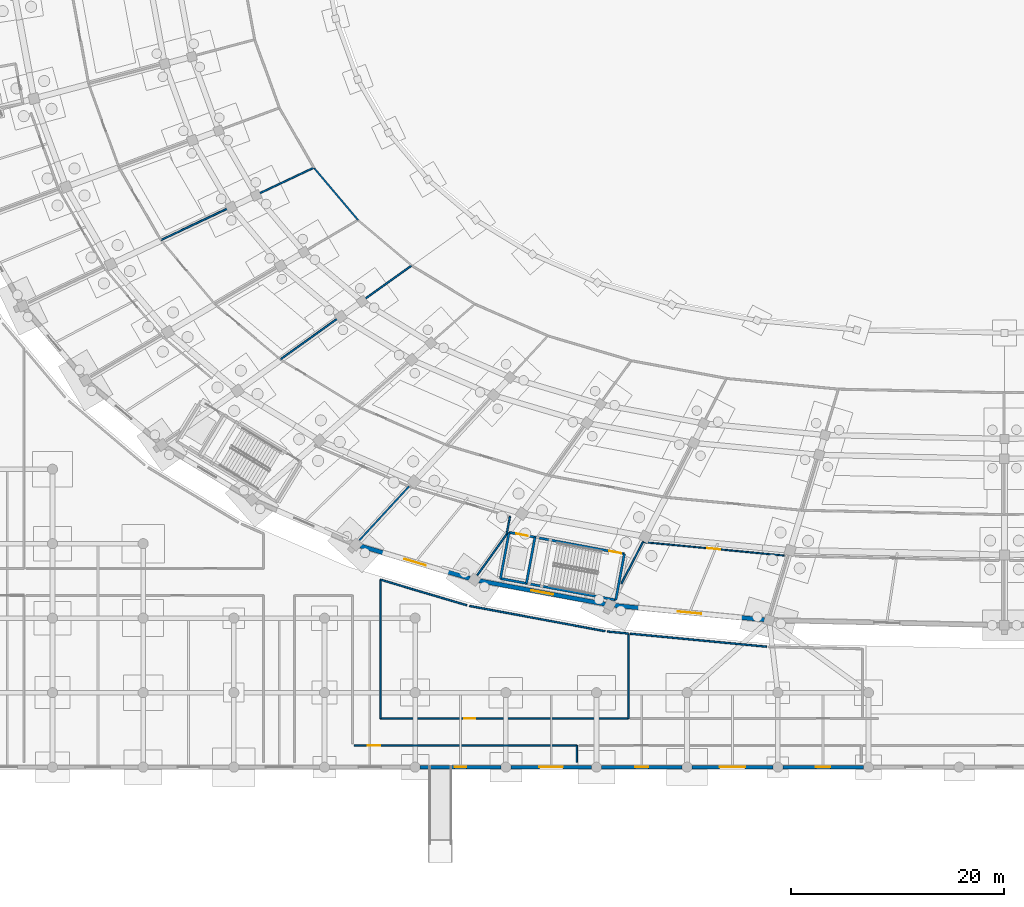
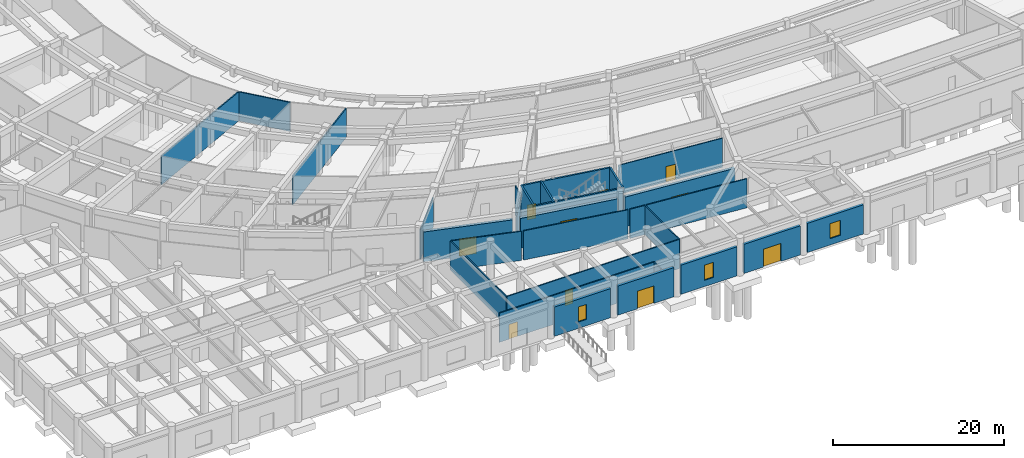
# One storey, part 42 of 88: 30 walls, 9 doors, 4 windows, 13 openings.
"""IFC4 building model written with IfcOpenShell, lengths in metres."""

from ifc_helpers import new_model, si_unit, direction, frame, frame_2d, origin, place, context, subcontext, project, spatial, rectangle, extrude, material, layer, layer_set, type_object, element, fill, save


model = new_model("IFC4")

# Units and contexts
model_context = context("Model", 3, precision=1e-05, world=origin(), true_north=direction((0.0, 1.0)))
body_context = subcontext(model_context, "Body", "Model", "MODEL_VIEW")
ifc_project = project(units=[si_unit("LENGTHUNIT", "METRE"), si_unit("AREAUNIT", "SQUARE_METRE"), si_unit("VOLUMEUNIT", "CUBIC_METRE"), si_unit("PLANEANGLEUNIT", "RADIAN"), si_unit("MASSUNIT", "GRAM", prefix="KILO")], contexts=[model_context])

# Site, building, storey
site_placement = place(None, origin())
site = spatial("IfcSite", under=ifc_project, at=site_placement, CompositionType="ELEMENT")
building_placement = place(site_placement, origin())
building = spatial("IfcBuilding", under=site, at=building_placement, Name="Mphavela Belvedere Stadium", CompositionType="ELEMENT")
storey_placement = place(building_placement, origin())
storey = spatial("IfcBuildingStorey", under=building, at=storey_placement, Name="L00", CompositionType="ELEMENT", Elevation=0.0)

# Walls
ifc_material_1 = material(Name="Concrete C40/50", Category="concrete")
ifc_layer_1 = layer(ifc_material_1, 0.219970703125)
ifc_layer_set_1 = layer_set([ifc_layer_1], Name="Concrete C40/50")
wall_type_1 = type_object("IfcWallType", Name="WAL-CORE-SHEAR-220", PredefinedType="SHEAR", material=ifc_layer_set_1)
wall_1_placement = place(storey_placement, frame((78.477294921875, 15.707275390625, 0.0), z_axis=(0.0, 0.0, 1.0), x_axis=(-0.983093434234, 0.183104613723, 0.0)))
element("IfcWall", 1, at=wall_1_placement, inside=storey, type_object=wall_type_1, Name="Core C11 shear wall L00 rear", PredefinedType="SHEAR", context=body_context, shape_type="SweptSolid", body=[
    extrude(rectangle(XDim=11.02001953125, YDim=0.219970703125, at=frame_2d((5.510009765625, 0.0))), origin(), (0.0, 0.0, 1.0), 5.14990234375),
])
for number, where, z_axis, x_axis, name in (
    (2, (79.28466796875, 20.042724609375, 0.0), (0.0, 0.0, 1.0), (-0.183078394814, -0.983098317236, 0.0), "Core C11 shear wall L00 left"),
    (3, (68.450927734375, 22.060546875, 0.0), (0.0, 0.0, 1.0), (-0.183078394814, -0.983098317236, 0.0), "Core C11 shear wall L00 right"),
):
    element("IfcWall", number, at=place(storey_placement, frame(where, z_axis=z_axis, x_axis=x_axis)), inside=storey, type_object=wall_type_1, Name=name, PredefinedType="SHEAR", context=body_context, shape_type="SweptSolid", body=[
        extrude(rectangle(XDim=4.409912109375, YDim=0.219970703125, at=frame_2d((2.205078125, 0.0))), origin(), (0.0, 0.0, 1.0), 5.14990234375),
    ])

# Wall, openings, doors
wall_2_placement = place(storey_placement, frame((79.28466796875, 20.042724609375, 0.0), z_axis=(0.0, 0.0, 1.0), x_axis=(-0.983093434234, 0.183104613723, 0.0)))
wall_2 = element("IfcWall", 4, at=wall_2_placement, inside=storey, type_object=wall_type_1, Name="Core C11 shear wall L00 front", PredefinedType="SHEAR", context=body_context, shape_type="SweptSolid", body=[
    extrude(rectangle(XDim=11.02001953125, YDim=0.219970703125, at=frame_2d((5.510009765625, 0.0))), origin(), (0.0, 0.0, 1.0), 5.14990234375),
])
opening_1_placement = place(wall_2_placement, frame((0.300048828125, 0.0, 0.0)))
opening_1 = element("IfcOpeningElement", 5, at=opening_1_placement, cuts=wall_2, Name="Opening SD-057", PredefinedType="OPENING", context=body_context, shape_type="SweptSolid", body=[
    extrude(rectangle(XDim=1.14990234375, YDim=2.14990234375, at=frame_2d((0.574951171875, 1.074951171875))), frame((0.0, 0.1201171875, 0.0), z_axis=(0.0, -1.0, 0.0), x_axis=(1.0, 0.0, 0.0)), (0.0, 0.0, 1.0), 0.239990234375),
])
opening_2_placement = place(wall_2_placement, frame((9.22998046875, 0.0, 0.0)))
opening_2 = element("IfcOpeningElement", 6, at=opening_2_placement, cuts=wall_2, Name="Opening LD-057", PredefinedType="OPENING", context=body_context, shape_type="SweptSolid", body=[
    extrude(rectangle(XDim=1.10009765625, YDim=2.14990234375, at=frame_2d((0.550048828125, 1.074951171875))), frame((0.0, 0.1201171875, 0.0), z_axis=(0.0, -1.0, 0.0), x_axis=(1.0, 0.0, 0.0)), (0.0, 0.0, 1.0), 0.239990234375),
])
ifc_material_2 = material(Name="Stainless steel center-parting lift landing door", Category="steel")
door_type_1 = type_object("IfcDoorType", Name="DR-LIFT-SLIDE-1100", OperationType="NOTDEFINED", PredefinedType="DOOR", material=ifc_material_2)
door_1_placement = place(opening_2_placement, origin())
door_1 = element("IfcDoor", 7, at=door_1_placement, inside=storey, type_object=door_type_1, Name="Lift landing sliding door PL05 L00", OperationType="DOUBLE_DOOR_SLIDING", OverallHeight=2.14990234375, OverallWidth=1.10009765625, PredefinedType="DOOR", context=body_context, shape_type="SweptSolid", body=[
    extrude(rectangle(XDim=1.10009765625, YDim=2.14990234375, at=frame_2d((0.550048828125, 1.074951171875))), frame((0.0, 0.02490234375, 0.0), z_axis=(0.0, -1.0, 0.0), x_axis=(1.0, 0.0, 0.0)), (0.0, 0.0, 1.0), 0.050048828125),
])
fill(opening_2, door_1)
ifc_material_3 = material(Name="Steel acoustic fire-resisting stair doorset", Category="steel")
door_type_2 = type_object("IfcDoorType", Name="DR-STAIR-FIRE-1150", OperationType="NOTDEFINED", PredefinedType="DOOR", material=ifc_material_3)
door_2_placement = place(opening_1_placement, origin())
door_2 = element("IfcDoor", 8, at=door_2_placement, inside=storey, type_object=door_type_2, Name="Escape stair fire door C11 L00", OperationType="SINGLE_SWING_LEFT", OverallHeight=2.14990234375, OverallWidth=1.14990234375, PredefinedType="DOOR", context=body_context, shape_type="SweptSolid", body=[
    extrude(rectangle(XDim=1.14990234375, YDim=2.14990234375, at=frame_2d((0.574951171875, 1.074951171875))), frame((0.0, 0.02490234375, 0.0), z_axis=(0.0, -1.0, 0.0), x_axis=(1.0, 0.0, 0.0)), (0.0, 0.0, 1.0), 0.050048828125),
])
fill(opening_1, door_2)

# Wall
wall_3_placement = place(storey_placement, frame((70.888916015625, 21.6064453125, 0.0), z_axis=(0.0, 0.0, 1.0), x_axis=(-0.183078394814, -0.983098317236, 0.0)))
element("IfcWall", 9, at=wall_3_placement, inside=storey, type_object=wall_type_1, Name="Core C11 shear wall L00 div", PredefinedType="SHEAR", context=body_context, shape_type="SweptSolid", body=[
    extrude(rectangle(XDim=4.409912109375, YDim=0.219970703125, at=frame_2d((2.205078125, 0.0))), origin(), (0.0, 0.0, 1.0), 5.14990234375),
])

# Wall, opening, window
ifc_material_4 = material(Name="Honed ashlar limestone masonry", Category="masonry")
ifc_layer_2 = layer(ifc_material_4, 0.35009765625)
ifc_layer_set_2 = layer_set([ifc_layer_2], Name="Honed ashlar limestone masonry")
wall_type_2 = type_object("IfcWallType", Name="WAL-EXT-ASHLAR-350", PredefinedType="STANDARD", material=ifc_layer_set_2)
wall_4_placement = place(storey_placement, frame((67.675048828125, 0.0, 0.0), z_axis=(0.0, 0.0, 1.0), x_axis=(-1.0, 0.0, 0.0)))
wall_4 = element("IfcWall", 10, at=wall_4_placement, inside=storey, type_object=wall_type_2, Name="South Axial Triumphal Peristyle Portico outer facade bay L00-08", PredefinedType="STANDARD", context=body_context, shape_type="SweptSolid", body=[
    extrude(rectangle(XDim=7.572021484375, YDim=0.35009765625, at=frame_2d((3.7861328125, 0.0))), origin(), (0.0, 0.0, 1.0), 4.159912109375),
])
opening_3_placement = place(wall_4_placement, frame((3.236083984375, 0.0, 0.89990234375)))
opening_3 = element("IfcOpeningElement", 11, at=opening_3_placement, cuts=wall_4, Name="Opening W-034", PredefinedType="OPENING", context=body_context, shape_type="SweptSolid", body=[
    extrude(rectangle(XDim=1.10009765625, YDim=2.14990234375, at=frame_2d((0.550048828125, 1.074951171875))), frame((0.0, 0.18505859375, 0.0), z_axis=(0.0, -1.0, 0.0), x_axis=(1.0, 0.0, 0.0)), (0.0, 0.0, 1.0), 0.3701171875),
])
ifc_material_5 = material(Name="Bronze-anodised thermally broken aluminium window", Category="aluminium")
window_type_1 = type_object("IfcWindowType", Name="WIN-EXT-34", PartitioningType="SINGLE_PANEL", PredefinedType="WINDOW", material=ifc_material_5)
window_1_placement = place(opening_3_placement, origin())
window_1 = element("IfcWindow", 12, at=window_1_placement, inside=storey, type_object=window_type_1, Name="South Axial Triumphal Peristyle Portico classical window W-034", OverallHeight=2.14990234375, OverallWidth=1.10009765625, PartitioningType="SINGLE_PANEL", PredefinedType="WINDOW", context=body_context, shape_type="SweptSolid", body=[
    extrude(rectangle(XDim=1.10009765625, YDim=2.14990234375, at=frame_2d((0.550048828125, 1.074951171875))), frame((0.0, 0.030029296875, 0.0), z_axis=(0.0, -1.0, 0.0), x_axis=(1.0, 0.0, 0.0)), (0.0, 0.0, 1.0), 0.06005859375),
])
fill(opening_3, window_1)

# Wall, opening, door
wall_5_placement = place(storey_placement, frame((76.194091796875, 0.0, 0.0), z_axis=(0.0, 0.0, 1.0), x_axis=(-1.0, 0.0, 0.0)))
wall_5 = element("IfcWall", 13, at=wall_5_placement, inside=storey, type_object=wall_type_2, Name="South Axial Triumphal Peristyle Portico outer facade bay L00-09", PredefinedType="STANDARD", context=body_context, shape_type="SweptSolid", body=[
    extrude(rectangle(XDim=7.572998046875, YDim=0.35009765625, at=frame_2d((3.78662109375, 0.0))), origin(), (0.0, 0.0, 1.0), 4.159912109375),
])
opening_4_placement = place(wall_5_placement, frame((2.6865234375, 0.0, 0.0)))
opening_4 = element("IfcOpeningElement", 14, at=opening_4_placement, cuts=wall_5, Name="Opening ED-029", PredefinedType="OPENING", context=body_context, shape_type="SweptSolid", body=[
    extrude(rectangle(XDim=2.199951171875, YDim=2.5, at=frame_2d((1.10009765625, 1.25))), frame((0.0, 0.18505859375, 0.0), z_axis=(0.0, -1.0, 0.0), x_axis=(1.0, 0.0, 0.0)), (0.0, 0.0, 1.0), 0.3701171875),
])
ifc_material_6 = material(Name="Glazed bronze-anodised steel exit doorset", Category="steel")
door_type_3 = type_object("IfcDoorType", Name="DR-EXT-05", OperationType="NOTDEFINED", PredefinedType="DOOR", material=ifc_material_6)
door_3_placement = place(opening_4_placement, origin())
door_3 = element("IfcDoor", 15, at=door_3_placement, inside=storey, type_object=door_type_3, Name="South Axial Triumphal Peristyle Portico ceremonial exit doorset ED-029", OperationType="DOUBLE_DOOR_SINGLE_SWING", OverallHeight=2.5, OverallWidth=2.199951171875, PredefinedType="DOOR", context=body_context, shape_type="SweptSolid", body=[
    extrude(rectangle(XDim=2.199951171875, YDim=2.5, at=frame_2d((1.10009765625, 1.25))), frame((0.0, 0.02490234375, 0.0), z_axis=(0.0, -1.0, 0.0), x_axis=(1.0, 0.0, 0.0)), (0.0, 0.0, 1.0), 0.050048828125),
])
fill(opening_4, door_3)

# Wall, opening, window
wall_6_placement = place(storey_placement, frame((84.7119140625, 0.0, 0.0), z_axis=(0.0, 0.0, 1.0), x_axis=(-1.0, 0.0, 0.0)))
wall_6 = element("IfcWall", 16, at=wall_6_placement, inside=storey, type_object=wall_type_2, Name="South Axial Triumphal Peristyle Portico outer facade bay L00-10", PredefinedType="STANDARD", context=body_context, shape_type="SweptSolid", body=[
    extrude(rectangle(XDim=7.572021484375, YDim=0.35009765625, at=frame_2d((3.7861328125, 0.0))), origin(), (0.0, 0.0, 1.0), 4.159912109375),
])
opening_5_placement = place(wall_6_placement, frame((3.166015625, 0.0, 0.89990234375)))
opening_5 = element("IfcOpeningElement", 17, at=opening_5_placement, cuts=wall_6, Name="Opening W-035", PredefinedType="OPENING", context=body_context, shape_type="SweptSolid", body=[
    extrude(rectangle(XDim=1.239990234375, YDim=2.14990234375, at=frame_2d((0.6201171875, 1.074951171875))), frame((0.0, 0.18505859375, 0.0), z_axis=(0.0, -1.0, 0.0), x_axis=(1.0, 0.0, 0.0)), (0.0, 0.0, 1.0), 0.3701171875),
])
ifc_material_7 = material(Name="Bronze-anodised thermally broken aluminium window", Category="aluminium")
window_type_2 = type_object("IfcWindowType", Name="WIN-EXT-35", PartitioningType="SINGLE_PANEL", PredefinedType="WINDOW", material=ifc_material_7)
window_2_placement = place(opening_5_placement, origin())
window_2 = element("IfcWindow", 18, at=window_2_placement, inside=storey, type_object=window_type_2, Name="South Axial Triumphal Peristyle Portico classical window W-035", OverallHeight=2.14990234375, OverallWidth=1.239990234375, PartitioningType="SINGLE_PANEL", PredefinedType="WINDOW", context=body_context, shape_type="SweptSolid", body=[
    extrude(rectangle(XDim=1.239990234375, YDim=2.14990234375, at=frame_2d((0.6201171875, 1.074951171875))), frame((0.0, 0.030029296875, 0.0), z_axis=(0.0, -1.0, 0.0), x_axis=(1.0, 0.0, 0.0)), (0.0, 0.0, 1.0), 0.06005859375),
])
fill(opening_5, window_2)

# Wall, opening, door
wall_7_placement = place(storey_placement, frame((93.23095703125, 0.0, 0.0), z_axis=(0.0, 0.0, 1.0), x_axis=(-1.0, 0.0, 0.0)))
wall_7 = element("IfcWall", 19, at=wall_7_placement, inside=storey, type_object=wall_type_2, Name="South Axial Triumphal Peristyle Portico outer facade bay L00-11", PredefinedType="STANDARD", context=body_context, shape_type="SweptSolid", body=[
    extrude(rectangle(XDim=7.572998046875, YDim=0.35009765625, at=frame_2d((3.78662109375, 0.0))), origin(), (0.0, 0.0, 1.0), 4.159912109375),
])
opening_6_placement = place(wall_7_placement, frame((2.58642578125, 0.0, 0.0)))
opening_6 = element("IfcOpeningElement", 20, at=opening_6_placement, cuts=wall_7, Name="Opening ED-030", PredefinedType="OPENING", context=body_context, shape_type="SweptSolid", body=[
    extrude(rectangle(XDim=2.39990234375, YDim=2.550048828125, at=frame_2d((1.199951171875, 1.27490234375))), frame((0.0, 0.18505859375, 0.0), z_axis=(0.0, -1.0, 0.0), x_axis=(1.0, 0.0, 0.0)), (0.0, 0.0, 1.0), 0.3701171875),
])
ifc_material_8 = material(Name="Glazed bronze-anodised steel exit doorset", Category="steel")
door_type_4 = type_object("IfcDoorType", Name="DR-EXT-06", OperationType="NOTDEFINED", PredefinedType="DOOR", material=ifc_material_8)
door_4_placement = place(opening_6_placement, origin())
door_4 = element("IfcDoor", 21, at=door_4_placement, inside=storey, type_object=door_type_4, Name="South Axial Triumphal Peristyle Portico ceremonial exit doorset ED-030", OperationType="DOUBLE_DOOR_SINGLE_SWING", OverallHeight=2.550048828125, OverallWidth=2.39990234375, PredefinedType="DOOR", context=body_context, shape_type="SweptSolid", body=[
    extrude(rectangle(XDim=2.39990234375, YDim=2.550048828125, at=frame_2d((1.199951171875, 1.27490234375))), frame((0.0, 0.02490234375, 0.0), z_axis=(0.0, -1.0, 0.0), x_axis=(1.0, 0.0, 0.0)), (0.0, 0.0, 1.0), 0.050048828125),
])
fill(opening_6, door_4)

# Wall, opening, window
wall_8_placement = place(storey_placement, frame((101.7490234375, 0.0, 0.0), z_axis=(0.0, 0.0, 1.0), x_axis=(-1.0, 0.0, 0.0)))
wall_8 = element("IfcWall", 22, at=wall_8_placement, inside=storey, type_object=wall_type_2, Name="South Axial Triumphal Peristyle Portico outer facade bay L00-12", PredefinedType="STANDARD", context=body_context, shape_type="SweptSolid", body=[
    extrude(rectangle(XDim=7.572021484375, YDim=0.35009765625, at=frame_2d((3.7861328125, 0.0))), origin(), (0.0, 0.0, 1.0), 4.159912109375),
])
opening_7_placement = place(wall_8_placement, frame((3.095947265625, 0.0, 0.89990234375)))
opening_7 = element("IfcOpeningElement", 23, at=opening_7_placement, cuts=wall_8, Name="Opening W-036", PredefinedType="OPENING", context=body_context, shape_type="SweptSolid", body=[
    extrude(rectangle(XDim=1.3798828125, YDim=2.14990234375, at=frame_2d((0.68994140625, 1.074951171875))), frame((0.0, 0.18505859375, 0.0), z_axis=(0.0, -1.0, 0.0), x_axis=(1.0, 0.0, 0.0)), (0.0, 0.0, 1.0), 0.3701171875),
])
ifc_material_9 = material(Name="Bronze-anodised thermally broken aluminium window", Category="aluminium")
window_type_3 = type_object("IfcWindowType", Name="WIN-EXT-36", PartitioningType="SINGLE_PANEL", PredefinedType="WINDOW", material=ifc_material_9)
window_3_placement = place(opening_7_placement, origin())
window_3 = element("IfcWindow", 24, at=window_3_placement, inside=storey, type_object=window_type_3, Name="South Axial Triumphal Peristyle Portico classical window W-036", OverallHeight=2.14990234375, OverallWidth=1.3798828125, PartitioningType="SINGLE_PANEL", PredefinedType="WINDOW", context=body_context, shape_type="SweptSolid", body=[
    extrude(rectangle(XDim=1.3798828125, YDim=2.14990234375, at=frame_2d((0.68994140625, 1.074951171875))), frame((0.0, 0.030029296875, 0.0), z_axis=(0.0, -1.0, 0.0), x_axis=(1.0, 0.0, 0.0)), (0.0, 0.0, 1.0), 0.06005859375),
])
fill(opening_7, window_3)

# Wall, opening, door
ifc_material_10 = material(Name="Rusticated ashlar limestone masonry", Category="masonry")
ifc_layer_3 = layer(ifc_material_10, 0.39990234375)
ifc_layer_set_3 = layer_set([ifc_layer_3], Name="Rusticated ashlar limestone masonry")
wall_type_3 = type_object("IfcWallType", Name="WAL-EXT-ASHLAR-400", PredefinedType="STANDARD", material=ifc_layer_set_3)
wall_9_placement = place(storey_placement, frame((64.769287109375, 17.730712890625, 0.0), z_axis=(0.0, 0.0, 1.0), x_axis=(-0.958660844814, 0.284551198593, 0.0)))
wall_9 = element("IfcWall", 25, at=wall_9_placement, inside=storey, type_object=wall_type_3, Name="Ground plinth rusticated ashlar wall 33", PredefinedType="STANDARD", context=body_context, shape_type="SweptSolid", body=[
    extrude(rectangle(XDim=10.720458984375, YDim=0.39990234375, at=frame_2d((5.3603515625, 0.0))), origin(), (0.0, 0.0, 1.0), 4.25),
])
opening_8_placement = place(wall_9_placement, frame((4.310302734375, 0.0, 0.0)))
opening_8 = element("IfcOpeningElement", 26, at=opening_8_placement, cuts=wall_9, Name="Opening ED-012", PredefinedType="OPENING", context=body_context, shape_type="SweptSolid", body=[
    extrude(rectangle(XDim=2.10009765625, YDim=2.449951171875, at=frame_2d((1.050048828125, 1.22509765625))), frame((0.0, 0.2099609375, 0.0), z_axis=(0.0, -1.0, 0.0), x_axis=(1.0, 0.0, 0.0)), (0.0, 0.0, 1.0), 0.419921875),
])
ifc_material_11 = material(Name="Glazed bronze-anodised steel exit doorset", Category="steel")
door_type_5 = type_object("IfcDoorType", Name="DR-EXT-04", OperationType="NOTDEFINED", PredefinedType="DOOR", material=ifc_material_11)
door_5_placement = place(opening_8_placement, origin())
door_5 = element("IfcDoor", 27, at=door_5_placement, inside=storey, type_object=door_type_5, Name="Spectator final exit doorset ED-012", OperationType="DOUBLE_DOOR_SINGLE_SWING", OverallHeight=2.449951171875, OverallWidth=2.10009765625, PredefinedType="DOOR", context=body_context, shape_type="SweptSolid", body=[
    extrude(rectangle(XDim=2.10009765625, YDim=2.449951171875, at=frame_2d((1.050048828125, 1.22509765625))), frame((0.0, 0.02490234375, 0.0), z_axis=(0.0, -1.0, 0.0), x_axis=(1.0, 0.0, 0.0)), (0.0, 0.0, 1.0), 0.050048828125),
])
fill(opening_8, door_5)

# Wall, opening, window
wall_10_placement = place(storey_placement, frame((77.48681640625, 15.314697265625, 0.0), z_axis=(0.0, 0.0, 1.0), x_axis=(-0.983098943476, 0.183075031985, 0.0)))
wall_10 = element("IfcWall", 28, at=wall_10_placement, inside=storey, type_object=wall_type_3, Name="Ground plinth rusticated ashlar wall 34", PredefinedType="STANDARD", context=body_context, shape_type="SweptSolid", body=[
    extrude(rectangle(XDim=12.05126953125, YDim=0.39990234375, at=frame_2d((6.025634765625, 0.0))), origin(), (0.0, 0.0, 1.0), 4.25),
])
opening_9_placement = place(wall_10_placement, frame((4.985595703125, 0.0, 1.10009765625)))
opening_9 = element("IfcOpeningElement", 29, at=opening_9_placement, cuts=wall_10, Name="Opening W-008", PredefinedType="OPENING", context=body_context, shape_type="SweptSolid", body=[
    extrude(rectangle(XDim=2.080078125, YDim=1.550048828125, at=frame_2d((1.0400390625, 0.77490234375))), frame((0.0, 0.2099609375, 0.0), z_axis=(0.0, -1.0, 0.0), x_axis=(1.0, 0.0, 0.0)), (0.0, 0.0, 1.0), 0.419921875),
])
ifc_material_12 = material(Name="Bronze-anodised thermally broken aluminium window", Category="aluminium")
window_type_4 = type_object("IfcWindowType", Name="WIN-EXT-08", PartitioningType="SINGLE_PANEL", PredefinedType="WINDOW", material=ifc_material_12)
window_4_placement = place(opening_9_placement, origin())
window_4 = element("IfcWindow", 30, at=window_4_placement, inside=storey, type_object=window_type_4, Name="Plinth classical window W-008", OverallHeight=1.550048828125, OverallWidth=2.080078125, PartitioningType="SINGLE_PANEL", PredefinedType="WINDOW", context=body_context, shape_type="SweptSolid", body=[
    extrude(rectangle(XDim=2.080078125, YDim=1.550048828125, at=frame_2d((1.0400390625, 0.77490234375))), frame((0.0, 0.030029296875, 0.0), z_axis=(0.0, -1.0, 0.0), x_axis=(1.0, 0.0, 0.0)), (0.0, 0.0, 1.0), 0.06005859375),
])
fill(opening_9, window_4)

# Wall, opening, door
wall_11_placement = place(storey_placement, frame((92.439453125, 13.8486328125, 0.0), z_axis=(0.0, 0.0, 1.0), x_axis=(-0.995482650467, 0.094943628644, 0.0)))
wall_11 = element("IfcWall", 31, at=wall_11_placement, inside=storey, type_object=wall_type_3, Name="Ground plinth rusticated ashlar wall 35", PredefinedType="STANDARD", context=body_context, shape_type="SweptSolid", body=[
    extrude(rectangle(XDim=14.1298828125, YDim=0.39990234375, at=frame_2d((7.06494140625, 0.0))), origin(), (0.0, 0.0, 1.0), 4.25),
])
opening_10_placement = place(wall_11_placement, frame((5.965087890625, 0.0, 0.0)))
opening_10 = element("IfcOpeningElement", 32, at=opening_10_placement, cuts=wall_11, Name="Opening ED-013", PredefinedType="OPENING", context=body_context, shape_type="SweptSolid", body=[
    extrude(rectangle(XDim=2.199951171875, YDim=2.5, at=frame_2d((1.10009765625, 1.25))), frame((0.0, 0.2099609375, 0.0), z_axis=(0.0, -1.0, 0.0), x_axis=(1.0, 0.0, 0.0)), (0.0, 0.0, 1.0), 0.419921875),
])
door_6_placement = place(opening_10_placement, origin())
door_6 = element("IfcDoor", 33, at=door_6_placement, inside=storey, type_object=door_type_3, Name="Spectator final exit doorset ED-013", OperationType="DOUBLE_DOOR_SINGLE_SWING", OverallHeight=2.5, OverallWidth=2.199951171875, PredefinedType="DOOR", context=body_context, shape_type="SweptSolid", body=[
    extrude(rectangle(XDim=2.199951171875, YDim=2.5, at=frame_2d((1.10009765625, 1.25))), frame((0.0, 0.02490234375, 0.0), z_axis=(0.0, -1.0, 0.0), x_axis=(1.0, 0.0, 0.0)), (0.0, 0.0, 1.0), 0.050048828125),
])
fill(opening_10, door_6)

ifc_material_13 = material(Name="Moisture-resistant sanitary partition assembly")
ifc_layer_4 = layer(ifc_material_13, 0.125)
ifc_layer_set_4 = layer_set([ifc_layer_4], Name="Moisture-resistant sanitary partition assembly")
wall_type_4 = type_object("IfcWallType", Name="WAL-PART-125", PredefinedType="PARTITIONING", material=ifc_layer_set_4)
wall_12_placement = place(storey_placement, frame((81.028076171875, 21.148193359375, 0.0), z_axis=(0.0, 0.0, 1.0), x_axis=(0.995484535327, -0.094923863827, 0.0)))
wall_12 = element("IfcWall", 34, at=wall_12_placement, inside=storey, type_object=wall_type_4, Name="Room L00-124 corridor partition", PredefinedType="PARTITIONING", context=body_context, shape_type="SweptSolid", body=[
    extrude(rectangle(XDim=13.35107421875, YDim=0.125, at=frame_2d((6.675537109375, 0.0))), origin(), (0.0, 0.0, 1.0), 4.14990234375),
])
opening_11_placement = place(wall_12_placement, frame((6.0654296875, 0.0, 0.0)))
opening_11 = element("IfcOpeningElement", 35, at=opening_11_placement, cuts=wall_12, Name="Opening ID-057", PredefinedType="OPENING", context=body_context, shape_type="SweptSolid", body=[
    extrude(rectangle(XDim=1.219970703125, YDim=2.199951171875, at=frame_2d((0.60986328125, 1.10009765625))), frame((0.0, 0.072509765625, 0.0), z_axis=(0.0, -1.0, 0.0), x_axis=(1.0, 0.0, 0.0)), (0.0, 0.0, 1.0), 0.14501953125),
])
ifc_material_14 = material(Name="Hardwood acoustic timber doorset", Category="wood")
door_type_6 = type_object("IfcDoorType", Name="DR-INT-21", OperationType="NOTDEFINED", PredefinedType="DOOR", material=ifc_material_14)
door_7_placement = place(opening_11_placement, origin())
door_7 = element("IfcDoor", 36, at=door_7_placement, inside=storey, type_object=door_type_6, Name="Room L00-124 entrance door ID-057", OperationType="SINGLE_SWING_LEFT", OverallHeight=2.199951171875, OverallWidth=1.219970703125, PredefinedType="DOOR", context=body_context, shape_type="SweptSolid", body=[
    extrude(rectangle(XDim=1.219970703125, YDim=2.199951171875, at=frame_2d((0.60986328125, 1.10009765625))), frame((0.0, 0.02490234375, 0.0), z_axis=(0.0, -1.0, 0.0), x_axis=(1.0, 0.0, 0.0)), (0.0, 0.0, 1.0), 0.050048828125),
])
fill(opening_11, door_7)

ifc_material_15 = material(Name="Acoustic gypsum stud partition assembly")
ifc_layer_5 = layer(ifc_material_15, 0.14990234375)
ifc_layer_set_5 = layer_set([ifc_layer_5], Name="Acoustic gypsum stud partition assembly")
wall_type_5 = type_object("IfcWallType", Name="WAL-PART-150", PredefinedType="PARTITIONING", material=ifc_layer_set_5)
wall_13_placement = place(storey_placement, frame((53.89990234375, 2.0400390625, 0.0), z_axis=(0.0, 0.0, 1.0), x_axis=(1.0, 0.0, 0.0)))
wall_13 = element("IfcWall", 37, at=wall_13_placement, inside=storey, type_object=wall_type_5, Name="Room L00-166 corridor partition", PredefinedType="PARTITIONING", context=body_context, shape_type="SweptSolid", body=[
    extrude(rectangle(XDim=20.926025390625, YDim=0.14990234375, at=frame_2d((10.462890625, 0.0))), origin(), (0.0, 0.0, 1.0), 4.14990234375),
])
opening_12_placement = place(wall_13_placement, frame((1.275390625, 0.0, 0.0)))
opening_12 = element("IfcOpeningElement", 38, at=opening_12_placement, cuts=wall_13, Name="Opening ID-368", PredefinedType="OPENING", context=body_context, shape_type="SweptSolid", body=[
    extrude(rectangle(XDim=1.179931640625, YDim=2.10009765625, at=frame_2d((0.58984375, 1.050048828125))), frame((0.0, 0.0849609375, 0.0), z_axis=(0.0, -1.0, 0.0), x_axis=(1.0, 0.0, 0.0)), (0.0, 0.0, 1.0), 0.169921875),
])
ifc_material_16 = material(Name="Hardwood acoustic timber doorset", Category="wood")
door_type_7 = type_object("IfcDoorType", Name="DR-INT-08", OperationType="NOTDEFINED", PredefinedType="DOOR", material=ifc_material_16)
door_8_placement = place(opening_12_placement, origin())
door_8 = element("IfcDoor", 39, at=door_8_placement, inside=storey, type_object=door_type_7, Name="Room L00-166 entrance door ID-368", OperationType="SINGLE_SWING_RIGHT", OverallHeight=2.10009765625, OverallWidth=1.179931640625, PredefinedType="DOOR", context=body_context, shape_type="SweptSolid", body=[
    extrude(rectangle(XDim=1.179931640625, YDim=2.10009765625, at=frame_2d((0.58984375, 1.050048828125))), frame((0.0, 0.02490234375, 0.0), z_axis=(0.0, -1.0, 0.0), x_axis=(1.0, 0.0, 0.0)), (0.0, 0.0, 1.0), 0.050048828125),
])
fill(opening_12, door_8)

wall_14_placement = place(storey_placement, frame((79.656005859375, 4.56005859375, 0.0), z_axis=(0.0, 0.0, 1.0), x_axis=(-1.0, 0.0, 0.0)))
wall_14 = element("IfcWall", 40, at=wall_14_placement, inside=storey, type_object=wall_type_5, Name="Room L00-175 corridor partition", PredefinedType="PARTITIONING", context=body_context, shape_type="SweptSolid", body=[
    extrude(rectangle(XDim=23.2958984375, YDim=0.14990234375, at=frame_2d((11.64794921875, 0.0))), origin(), (0.0, 0.0, 1.0), 4.14990234375),
])
opening_13_placement = place(wall_14_placement, frame((14.357421875, 0.0, 0.0)))
opening_13 = element("IfcOpeningElement", 41, at=opening_13_placement, cuts=wall_14, Name="Opening ID-377", PredefinedType="OPENING", context=body_context, shape_type="SweptSolid", body=[
    extrude(rectangle(XDim=1.06005859375, YDim=2.199951171875, at=frame_2d((0.530029296875, 1.10009765625))), frame((0.0, 0.0849609375, 0.0), z_axis=(0.0, -1.0, 0.0), x_axis=(1.0, 0.0, 0.0)), (0.0, 0.0, 1.0), 0.169921875),
])
ifc_material_17 = material(Name="Hardwood acoustic timber doorset", Category="wood")
door_type_8 = type_object("IfcDoorType", Name="DR-INT-17", OperationType="NOTDEFINED", PredefinedType="DOOR", material=ifc_material_17)
door_9_placement = place(opening_13_placement, origin())
door_9 = element("IfcDoor", 42, at=door_9_placement, inside=storey, type_object=door_type_8, Name="Room L00-175 entrance door ID-377", OperationType="SINGLE_SWING_LEFT", OverallHeight=2.199951171875, OverallWidth=1.06005859375, PredefinedType="DOOR", context=body_context, shape_type="SweptSolid", body=[
    extrude(rectangle(XDim=1.06005859375, YDim=2.199951171875, at=frame_2d((0.530029296875, 1.10009765625))), frame((0.0, 0.02490234375, 0.0), z_axis=(0.0, -1.0, 0.0), x_axis=(1.0, 0.0, 0.0)), (0.0, 0.0, 1.0), 0.050048828125),
])
fill(opening_13, door_9)

# Walls
wall_15_placement = place(storey_placement, frame((50.11279296875, 56.3310546875, 0.0), z_axis=(0.0, 0.0, 1.0), x_axis=(-0.903858162526, -0.427832235854, 0.0)))
element("IfcWall", 43, at=wall_15_placement, inside=storey, type_object=wall_type_5, Name="Room divider partition L00-0080", PredefinedType="PARTITIONING", context=body_context, shape_type="SweptSolid", body=[
    extrude(rectangle(XDim=15.901611328125, YDim=0.14990234375, at=frame_2d((7.95068359375, 0.0))), origin(), (0.0, 0.0, 1.0), 4.14990234375),
])
wall_16_placement = place(storey_placement, frame((50.158447265625, 56.26416015625, 0.0), z_axis=(0.0, 0.0, 1.0), x_axis=(0.645182313149, -0.764028653127, 0.0)))
element("IfcWall", 44, at=wall_16_placement, inside=storey, type_object=wall_type_5, Name="Room divider partition L00-0082", PredefinedType="PARTITIONING", context=body_context, shape_type="SweptSolid", body=[
    extrude(rectangle(XDim=6.353759765625, YDim=0.14990234375, at=frame_2d((3.1767578125, 0.0))), origin(), (0.0, 0.0, 1.0), 4.14990234375),
])
wall_17_placement = place(storey_placement, frame((59.302001953125, 47.141845703125, 0.0), z_axis=(0.0, 0.0, 1.0), x_axis=(-0.812883175227, -0.582426770876, 0.0)))
element("IfcWall", 45, at=wall_17_placement, inside=storey, type_object=wall_type_5, Name="Room divider partition L00-0086", PredefinedType="PARTITIONING", context=body_context, shape_type="SweptSolid", body=[
    extrude(rectangle(XDim=15.167236328125, YDim=0.14990234375, at=frame_2d((7.58349609375, 0.0))), origin(), (0.0, 0.0, 1.0), 4.14990234375),
])
wall_18_placement = place(storey_placement, frame((59.0537109375, 26.38134765625, 0.0), z_axis=(0.0, 0.0, 1.0), x_axis=(-0.677844539823, -0.735205263741, 0.0)))
element("IfcWall", 46, at=wall_18_placement, inside=storey, type_object=wall_type_5, Name="Room divider partition L00-0092", PredefinedType="PARTITIONING", context=body_context, shape_type="SweptSolid", body=[
    extrude(rectangle(XDim=6.86962890625, YDim=0.14990234375, at=frame_2d((3.434814453125, 0.0))), origin(), (0.0, 0.0, 1.0), 4.14990234375),
])
wall_19_placement = place(storey_placement, frame((68.536865234375, 23.55908203125, 0.0), z_axis=(0.0, 0.0, 1.0), x_axis=(-0.183185863857, -0.983078297636, 0.0)))
element("IfcWall", 47, at=wall_19_placement, inside=storey, type_object=wall_type_5, Name="Room divider partition L00-0095", PredefinedType="PARTITIONING", context=body_context, shape_type="SweptSolid", body=[
    extrude(rectangle(XDim=1.697998046875, YDim=0.14990234375, at=frame_2d((0.84912109375, 0.0))), origin(), (0.0, 0.0, 1.0), 4.14990234375),
])
wall_20_placement = place(storey_placement, frame((68.225830078125, 21.889892578125, 0.0), z_axis=(0.0, 0.0, 1.0), x_axis=(-0.583007019162, -0.812467116632, 0.0)))
element("IfcWall", 48, at=wall_20_placement, inside=storey, type_object=wall_type_5, Name="Room divider partition L00-0096", PredefinedType="PARTITIONING", context=body_context, shape_type="SweptSolid", body=[
    extrude(rectangle(XDim=4.73583984375, YDim=0.14990234375, at=frame_2d((2.367919921875, 0.0))), origin(), (0.0, 0.0, 1.0), 4.14990234375),
])
wall_21_placement = place(storey_placement, frame((79.005615234375, 17.23291015625, 0.0), z_axis=(0.0, 0.0, 1.0), x_axis=(0.458942068402, 0.888466193983, 0.0)))
element("IfcWall", 49, at=wall_21_placement, inside=storey, type_object=wall_type_5, Name="Room divider partition L00-0101", PredefinedType="PARTITIONING", context=body_context, shape_type="SweptSolid", body=[
    extrude(rectangle(XDim=4.40673828125, YDim=0.14990234375, at=frame_2d((2.203369140625, 0.0))), origin(), (0.0, 0.0, 1.0), 4.14990234375),
])
wall_22_placement = place(storey_placement, frame((74.825927734375, 2.0400390625, 0.0), z_axis=(0.0, 0.0, 1.0), x_axis=(0.0, -1.0, 0.0)))
element("IfcWall", 50, at=wall_22_placement, inside=storey, type_object=wall_type_5, Name="Room divider partition L00-0658", PredefinedType="PARTITIONING", context=body_context, shape_type="SweptSolid", body=[
    extrude(rectangle(XDim=1.590087890625, YDim=0.14990234375, at=frame_2d((0.794921875, 0.0))), origin(), (0.0, 0.0, 1.0), 4.14990234375),
])
wall_23_placement = place(storey_placement, frame((64.7412109375, 15.1455078125, 0.0), z_axis=(0.0, 0.0, 1.0), x_axis=(0.983094545276, -0.183098648406, 0.0)))
element("IfcWall", 51, at=wall_23_placement, inside=storey, type_object=wall_type_5, Name="Room divider partition L00-0682", PredefinedType="PARTITIONING", context=body_context, shape_type="SweptSolid", body=[
    extrude(rectangle(XDim=12.947265625, YDim=0.14990234375, at=frame_2d((6.4736328125, 0.0))), origin(), (0.0, 0.0, 1.0), 4.14990234375),
])
wall_24_placement = place(storey_placement, frame((77.68994140625, 12.743896484375, 0.0), z_axis=(0.0, 0.0, 1.0), x_axis=(0.995483241572, -0.094937430712, 0.0)))
element("IfcWall", 52, at=wall_24_placement, inside=storey, type_object=wall_type_5, Name="Room divider partition L00-0683", PredefinedType="PARTITIONING", context=body_context, shape_type="SweptSolid", body=[
    extrude(rectangle(XDim=1.97509765625, YDim=0.14990234375, at=frame_2d((0.987548828125, 0.0))), origin(), (0.0, 0.0, 1.0), 4.14990234375),
])
wall_25_placement = place(storey_placement, frame((79.656005859375, 12.556396484375, 0.0), z_axis=(0.0, 0.0, 1.0), x_axis=(0.0, -1.0, 0.0)))
element("IfcWall", 53, at=wall_25_placement, inside=storey, type_object=wall_type_5, Name="Room divider partition L00-0684", PredefinedType="PARTITIONING", context=body_context, shape_type="SweptSolid", body=[
    extrude(rectangle(XDim=7.996337890625, YDim=0.14990234375, at=frame_2d((3.998046875, 0.0))), origin(), (0.0, 0.0, 1.0), 4.14990234375),
])
wall_26_placement = place(storey_placement, frame((56.360107421875, 4.56005859375, 0.0), z_axis=(0.0, 0.0, 1.0), x_axis=(0.0, 1.0, 0.0)))
element("IfcWall", 54, at=wall_26_placement, inside=storey, type_object=wall_type_5, Name="Room divider partition L00-0685", PredefinedType="PARTITIONING", context=body_context, shape_type="SweptSolid", body=[
    extrude(rectangle(XDim=13.058837890625, YDim=0.14990234375, at=frame_2d((6.529296875, 0.0))), origin(), (0.0, 0.0, 1.0), 4.14990234375),
])
wall_27_placement = place(storey_placement, frame((56.360107421875, 17.618896484375, 0.0), z_axis=(0.0, 0.0, 1.0), x_axis=(0.95866000112, -0.284554041006, 0.0)))
element("IfcWall", 55, at=wall_27_placement, inside=storey, type_object=wall_type_5, Name="Room divider partition L00-0686", PredefinedType="PARTITIONING", context=body_context, shape_type="SweptSolid", body=[
    extrude(rectangle(XDim=8.477783203125, YDim=0.14990234375, at=frame_2d((4.23876953125, 0.0))), origin(), (0.0, 0.0, 1.0), 4.14990234375),
])
wall_28_placement = place(storey_placement, frame((79.85595703125, 12.537353515625, 0.0), z_axis=(0.0, 0.0, 1.0), x_axis=(0.995483253835, -0.094937302124, 0.0)))
element("IfcWall", 56, at=wall_28_placement, inside=storey, type_object=wall_type_5, Name="Room divider partition L00-0689", PredefinedType="PARTITIONING", context=body_context, shape_type="SweptSolid", body=[
    extrude(rectangle(XDim=12.850341796875, YDim=0.14990234375, at=frame_2d((6.42529296875, 0.0))), origin(), (0.0, 0.0, 1.0), 4.14990234375),
])

save(model, "model.ifc")
